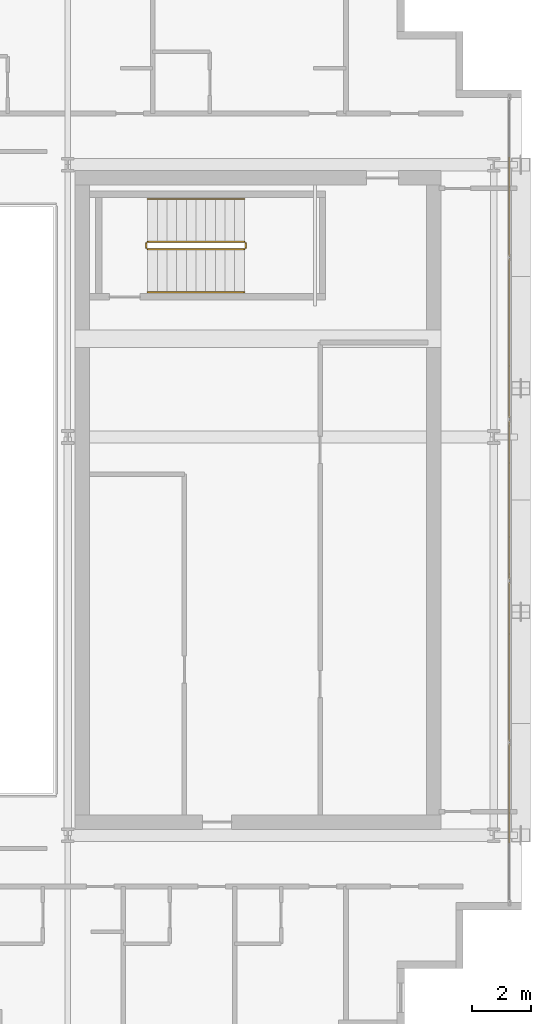
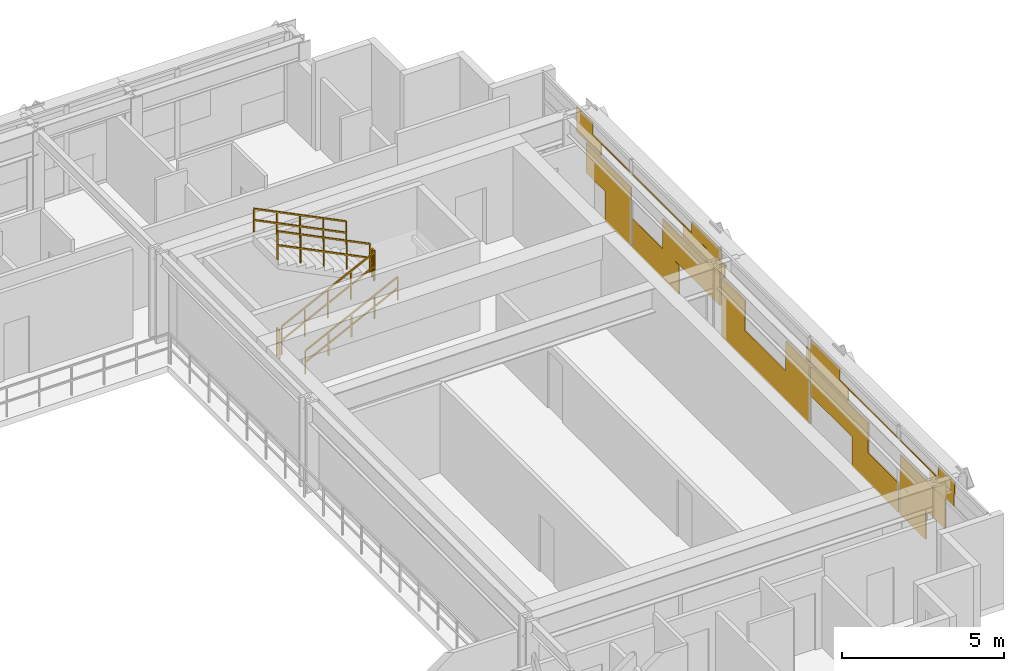
# One storey, part 31 of 32: 6 railings, 1 covering.
"""IFC4 building model written with IfcOpenShell, lengths in metres."""

from ifc_helpers import new_model, si_unit, direction, frame, origin, origin_2d, place, context, subcontext, project, spatial, rectangle, extrude, material, layer, layer_set, type_object, element, save


model = new_model("IFC4")

# Units and contexts
model_context = context("Model", 3, precision=1e-05, world=origin(), true_north=direction((0.0, 1.0)))
body_context = subcontext(model_context, "Body", "Model", "MODEL_VIEW")
ifc_project = project(units=[si_unit("LENGTHUNIT", "METRE"), si_unit("AREAUNIT", "SQUARE_METRE"), si_unit("VOLUMEUNIT", "CUBIC_METRE"), si_unit("PLANEANGLEUNIT", "RADIAN"), si_unit("MASSUNIT", "GRAM", prefix="KILO")], contexts=[model_context])

# Site, building, storey
site_placement = place(None, origin())
site = spatial("IfcSite", under=ifc_project, at=site_placement, CompositionType="ELEMENT")
building_placement = place(site_placement, origin())
building = spatial("IfcBuilding", under=site, at=building_placement, Name="Ocotamira Hotel", CompositionType="ELEMENT")
storey_placement = place(building_placement, frame((0.0, 0.0, 206.39990234375)))
storey = spatial("IfcBuildingStorey", under=building, at=storey_placement, Name="L52", CompositionType="ELEMENT", Elevation=206.39990234375)

# Covering
ifc_material_1 = material(Name="Insulated pale-metal aluminium spandrel panel", Category="aluminium")
ifc_layer = layer(ifc_material_1, 0.044921875)
ifc_layer_set = layer_set([ifc_layer], Name="Insulated pale-metal aluminium spandrel panel")
covering_type = type_object("IfcCoveringType", Name="COV-INFILL-45", PredefinedType="CLADDING", material=ifc_layer_set)
covering_placement = place(storey_placement, origin())
element("IfcCovering", 1, at=covering_placement, inside=storey, type_object=covering_type, Name="L52 Curtain Wall Infill CW-4 CW-L52-E", PredefinedType="CLADDING", context=body_context, shape_type="SweptSolid", body=[
    extrude(rectangle(XDim=2.782958984375, YDim=0.044921875, at=origin_2d()), frame((55.580078125, 16.2880859375, 1.1943359375), z_axis=(0.0, 0.0, 1.0), x_axis=(0.0, 1.0, 0.0)), (0.0, 0.0, 1.0), 1.117919921875),
    extrude(rectangle(XDim=1.596923828125, YDim=0.044921875, at=origin_2d()), frame((55.580078125, 16.881103515625, 0.07568359375), z_axis=(0.0, 0.0, 1.0), x_axis=(0.0, 1.0, 0.0)), (0.0, 0.0, 1.0), 1.117919921875),
    extrude(rectangle(XDim=3.38720703125, YDim=0.044921875, at=origin_2d()), frame((55.580078125, 15.98583984375, 2.848876953125), z_axis=(0.0, 0.0, 1.0), x_axis=(0.0, 1.0, 0.0)), (0.0, 0.0, 1.0), 0.033203125),
    extrude(rectangle(XDim=1.019287109375, YDim=0.044921875, at=origin_2d()), frame((55.580078125, 14.8017578125, 2.883056640625), z_axis=(0.0, 0.0, 1.0), x_axis=(0.0, 1.0, 0.0)), (0.0, 0.0, 1.0), 0.41162109375),
    extrude(rectangle(XDim=1.507568359375, YDim=0.044921875, at=origin_2d()), frame((55.580078125, 15.082275390625, 2.38818359375), z_axis=(0.0, 0.0, 1.0), x_axis=(0.0, 1.0, 0.0)), (0.0, 0.0, 1.0), 0.459716796875),
    extrude(rectangle(XDim=2.89013671875, YDim=0.044921875, at=origin_2d()), frame((55.580078125, 19.20556640625, 0.07568359375), z_axis=(0.0, 0.0, 1.0), x_axis=(0.0, 1.0, 0.0)), (0.0, 0.0, 1.0), 1.117919921875),
    extrude(rectangle(XDim=3.568115234375, YDim=0.044921875, at=origin_2d()), frame((55.580078125, 21.41552734375, 1.1943359375), z_axis=(0.0, 0.0, 1.0), x_axis=(0.0, 1.0, 0.0)), (0.0, 0.0, 1.0), 1.117919921875),
    extrude(rectangle(XDim=5.43896484375, YDim=0.044921875, at=origin_2d()), frame((55.580078125, 20.47998046875, 2.848876953125), z_axis=(0.0, 0.0, 1.0), x_axis=(0.0, 1.0, 0.0)), (0.0, 0.0, 1.0), 0.033203125),
    extrude(rectangle(XDim=2.302490234375, YDim=0.044921875, at=origin_2d()), frame((55.580078125, 22.04833984375, 2.38818359375), z_axis=(0.0, 0.0, 1.0), x_axis=(0.0, 1.0, 0.0)), (0.0, 0.0, 1.0), 0.459716796875),
    extrude(rectangle(XDim=1.777587890625, YDim=0.044921875, at=origin_2d()), frame((55.580078125, 22.310791015625, 2.883056640625), z_axis=(0.0, 0.0, 1.0), x_axis=(0.0, 1.0, 0.0)), (0.0, 0.0, 1.0), 0.41162109375),
    extrude(rectangle(XDim=5.43896484375, YDim=0.044921875, at=origin_2d()), frame((55.580078125, 26.0, 0.07568359375), z_axis=(0.0, 0.0, 1.0), x_axis=(0.0, 1.0, 0.0)), (0.0, 0.0, 1.0), 1.117919921875),
    extrude(rectangle(XDim=1.45458984375, YDim=0.044921875, at=origin_2d()), frame((55.580078125, 24.0078125, 1.1943359375), z_axis=(0.0, 0.0, 1.0), x_axis=(0.0, 1.0, 0.0)), (0.0, 0.0, 1.0), 1.117919921875),
    extrude(rectangle(XDim=1.45458984375, YDim=0.044921875, at=origin_2d()), frame((55.580078125, 27.9921875, 1.1943359375), z_axis=(0.0, 0.0, 1.0), x_axis=(0.0, 1.0, 0.0)), (0.0, 0.0, 1.0), 1.117919921875),
    extrude(rectangle(XDim=0.18896484375, YDim=0.044921875, at=origin_2d()), frame((55.580078125, 23.375, 2.38818359375), z_axis=(0.0, 0.0, 1.0), x_axis=(0.0, 1.0, 0.0)), (0.0, 0.0, 1.0), 0.493896484375),
    extrude(rectangle(XDim=0.18896484375, YDim=0.044921875, at=origin_2d()), frame((55.580078125, 28.625, 2.38818359375), z_axis=(0.0, 0.0, 1.0), x_axis=(0.0, 1.0, 0.0)), (0.0, 0.0, 1.0), 0.493896484375),
    extrude(rectangle(XDim=3.568115234375, YDim=0.044921875, at=origin_2d()), frame((55.580078125, 30.58447265625, 1.1943359375), z_axis=(0.0, 0.0, 1.0), x_axis=(0.0, 1.0, 0.0)), (0.0, 0.0, 1.0), 1.117919921875),
    extrude(rectangle(XDim=2.89013671875, YDim=0.044921875, at=origin_2d()), frame((55.580078125, 32.79443359375, 0.07568359375), z_axis=(0.0, 0.0, 1.0), x_axis=(0.0, 1.0, 0.0)), (0.0, 0.0, 1.0), 1.117919921875),
    extrude(rectangle(XDim=2.302490234375, YDim=0.044921875, at=origin_2d()), frame((55.580078125, 29.95166015625, 2.38818359375), z_axis=(0.0, 0.0, 1.0), x_axis=(0.0, 1.0, 0.0)), (0.0, 0.0, 1.0), 0.459716796875),
    extrude(rectangle(XDim=5.43896484375, YDim=0.044921875, at=origin_2d()), frame((55.580078125, 31.52001953125, 2.848876953125), z_axis=(0.0, 0.0, 1.0), x_axis=(0.0, 1.0, 0.0)), (0.0, 0.0, 1.0), 0.033203125),
    extrude(rectangle(XDim=1.777587890625, YDim=0.044921875, at=origin_2d()), frame((55.580078125, 29.689208984375, 2.883056640625), z_axis=(0.0, 0.0, 1.0), x_axis=(0.0, 1.0, 0.0)), (0.0, 0.0, 1.0), 0.41162109375),
    extrude(rectangle(XDim=1.596923828125, YDim=0.044921875, at=origin_2d()), frame((55.580078125, 35.118896484375, 0.07568359375), z_axis=(0.0, 0.0, 1.0), x_axis=(0.0, 1.0, 0.0)), (0.0, 0.0, 1.0), 1.117919921875),
    extrude(rectangle(XDim=2.782958984375, YDim=0.044921875, at=origin_2d()), frame((55.580078125, 35.7119140625, 1.1943359375), z_axis=(0.0, 0.0, 1.0), x_axis=(0.0, 1.0, 0.0)), (0.0, 0.0, 1.0), 1.117919921875),
    extrude(rectangle(XDim=3.38720703125, YDim=0.044921875, at=origin_2d()), frame((55.580078125, 36.01416015625, 2.848876953125), z_axis=(0.0, 0.0, 1.0), x_axis=(0.0, 1.0, 0.0)), (0.0, 0.0, 1.0), 0.033203125),
    extrude(rectangle(XDim=1.507568359375, YDim=0.044921875, at=origin_2d()), frame((55.580078125, 36.917724609375, 2.38818359375), z_axis=(0.0, 0.0, 1.0), x_axis=(0.0, 1.0, 0.0)), (0.0, 0.0, 1.0), 0.459716796875),
    extrude(rectangle(XDim=1.019287109375, YDim=0.044921875, at=origin_2d()), frame((55.580078125, 37.1982421875, 2.883056640625), z_axis=(0.0, 0.0, 1.0), x_axis=(0.0, 1.0, 0.0)), (0.0, 0.0, 1.0), 0.41162109375),
])

# Railings
ifc_material_2 = material(Name="Brushed stainless steel handrail", Category="steel")
railing_type_1 = type_object("IfcRailingType", Name="RL-HAND-900", PredefinedType="HANDRAIL", material=ifc_material_2)
railing_1_placement = place(storey_placement, frame((43.22998046875, 33.10009765625, 0.327392578125)))
element("IfcRailing", 2, at=railing_1_placement, inside=storey, type_object=railing_type_1, Name="L52 ST-4 stair handrail 1", PredefinedType="HANDRAIL", context=body_context, shape_type="SweptSolid", body=[
    extrude(rectangle(XDim=0.048095703125, YDim=0.048095703125, at=origin_2d()), frame((0.0, 0.0, 0.8759765625), z_axis=(0.895920123917, 0.0, 0.444215186098), x_axis=(0.0, 1.0, 0.0)), (0.0, 0.0, 1.0), 3.683349609375),
    extrude(rectangle(XDim=0.048095703125, YDim=0.048095703125, at=origin_2d()), frame((0.0, 0.0, 0.449951171875), z_axis=(0.895920123917, 0.0, 0.444215186098), x_axis=(0.0, 1.0, 0.0)), (0.0, 0.0, 1.0), 3.683349609375),
    extrude(rectangle(XDim=0.0419921875, YDim=0.0419921875, at=origin_2d()), origin(), (0.0, 0.0, 1.0), 0.851806640625),
    extrude(rectangle(XDim=0.0419921875, YDim=0.0419921875, at=origin_2d()), frame((0.824951171875, 0.0, 0.4091796875)), (0.0, 0.0, 1.0), 0.851806640625),
    extrude(rectangle(XDim=0.0419921875, YDim=0.0419921875, at=origin_2d()), frame((1.64990234375, 0.0, 0.818115234375)), (0.0, 0.0, 1.0), 0.851806640625),
    extrude(rectangle(XDim=0.0419921875, YDim=0.0419921875, at=origin_2d()), frame((2.47509765625, 0.0, 1.22705078125)), (0.0, 0.0, 1.0), 0.851806640625),
    extrude(rectangle(XDim=0.0419921875, YDim=0.0419921875, at=origin_2d()), frame((3.300048828125, 0.0, 1.63623046875)), (0.0, 0.0, 1.0), 0.851806640625),
])
railing_2_placement = place(storey_placement, frame((46.530029296875, 36.280029296875, 2.12744140625)))
element("IfcRailing", 3, at=railing_2_placement, inside=storey, type_object=railing_type_1, Name="L52 ST-4 stair handrail 2", PredefinedType="HANDRAIL", context=body_context, shape_type="SweptSolid", body=[
    extrude(rectangle(XDim=0.048095703125, YDim=0.048095703125, at=origin_2d()), frame((0.0, 0.0, 0.8759765625), z_axis=(-0.895920123917, 0.0, 0.444215186098), x_axis=(0.0, -1.0, 0.0)), (0.0, 0.0, 1.0), 3.683349609375),
    extrude(rectangle(XDim=0.048095703125, YDim=0.048095703125, at=origin_2d()), frame((0.0, 0.0, 0.449951171875), z_axis=(-0.895920123917, 0.0, 0.444215186098), x_axis=(0.0, -1.0, 0.0)), (0.0, 0.0, 1.0), 3.683349609375),
    extrude(rectangle(XDim=0.0419921875, YDim=0.0419921875, at=origin_2d()), origin(), (0.0, 0.0, 1.0), 0.851806640625),
    extrude(rectangle(XDim=0.0419921875, YDim=0.0419921875, at=origin_2d()), frame((-0.824951171875, 0.0, 0.4091796875)), (0.0, 0.0, 1.0), 0.851806640625),
    extrude(rectangle(XDim=0.0419921875, YDim=0.0419921875, at=origin_2d()), frame((-1.64990234375, 0.0, 0.818115234375)), (0.0, 0.0, 1.0), 0.851806640625),
    extrude(rectangle(XDim=0.0419921875, YDim=0.0419921875, at=origin_2d()), frame((-2.47509765625, 0.0, 1.22705078125)), (0.0, 0.0, 1.0), 0.851806640625),
    extrude(rectangle(XDim=0.0419921875, YDim=0.0419921875, at=origin_2d()), frame((-3.300048828125, 0.0, 1.63623046875)), (0.0, 0.0, 1.0), 0.851806640625),
])
ifc_material_3 = material(Name="Painted steel stair guardrail", Category="steel")
railing_type_2 = type_object("IfcRailingType", Name="RL-STAIR-1100", PredefinedType="GUARDRAIL", material=ifc_material_3)
railing_3_placement = place(storey_placement, frame((43.22998046875, 34.56005859375, 0.163818359375)))
element("IfcRailing", 4, at=railing_3_placement, inside=storey, type_object=railing_type_2, Name="L52 ST-4 stair guard 1", PredefinedType="GUARDRAIL", context=body_context, shape_type="SweptSolid", body=[
    extrude(rectangle(XDim=0.048095703125, YDim=0.048095703125, at=origin_2d()), frame((0.0, 0.0, 1.076171875), z_axis=(0.895920123917, 0.0, 0.444215186098), x_axis=(0.0, 1.0, 0.0)), (0.0, 0.0, 1.0), 3.683349609375),
    extrude(rectangle(XDim=0.048095703125, YDim=0.048095703125, at=origin_2d()), frame((0.0, 0.0, 0.550048828125), z_axis=(0.895920123917, 0.0, 0.444215186098), x_axis=(0.0, 1.0, 0.0)), (0.0, 0.0, 1.0), 3.683349609375),
    extrude(rectangle(XDim=0.0419921875, YDim=0.0419921875, at=origin_2d()), origin(), (0.0, 0.0, 1.0), 1.052001953125),
    extrude(rectangle(XDim=0.0419921875, YDim=0.0419921875, at=origin_2d()), frame((0.824951171875, 0.0, 0.4091796875)), (0.0, 0.0, 1.0), 1.052001953125),
    extrude(rectangle(XDim=0.0419921875, YDim=0.0419921875, at=origin_2d()), frame((1.64990234375, 0.0, 0.818115234375)), (0.0, 0.0, 1.0), 1.052001953125),
    extrude(rectangle(XDim=0.0419921875, YDim=0.0419921875, at=origin_2d()), frame((2.47509765625, 0.0, 1.22705078125)), (0.0, 0.0, 1.0), 1.052001953125),
    extrude(rectangle(XDim=0.0419921875, YDim=0.0419921875, at=origin_2d()), frame((3.300048828125, 0.0, 1.63623046875)), (0.0, 0.0, 1.0), 1.052001953125),
])
railing_4_placement = place(storey_placement, frame((46.580078125, 34.610107421875, 1.800048828125)))
element("IfcRailing", 5, at=railing_4_placement, inside=storey, type_object=railing_type_2, Name="L52 ST-4 stair guard 2", PredefinedType="GUARDRAIL", context=body_context, shape_type="SweptSolid", body=[
    extrude(rectangle(XDim=0.048095703125, YDim=0.048095703125, at=origin_2d()), frame((0.0, 0.0, 1.076171875), z_axis=(0.0, 1.0, 0.0), x_axis=(-1.0, 0.0, 0.0)), (0.0, 0.0, 1.0), 0.159912109375),
    extrude(rectangle(XDim=0.048095703125, YDim=0.048095703125, at=origin_2d()), frame((0.0, 0.0, 0.550048828125), z_axis=(0.0, 1.0, 0.0), x_axis=(-1.0, 0.0, 0.0)), (0.0, 0.0, 1.0), 0.159912109375),
    extrude(rectangle(XDim=0.0419921875, YDim=0.0419921875, at=origin_2d()), origin(), (0.0, 0.0, 1.0), 1.052001953125),
    extrude(rectangle(XDim=0.0419921875, YDim=0.0419921875, at=origin_2d()), frame((0.0, 0.159912109375, 0.0)), (0.0, 0.0, 1.0), 1.052001953125),
])
railing_5_placement = place(storey_placement, frame((46.530029296875, 34.820068359375, 1.963623046875)))
element("IfcRailing", 6, at=railing_5_placement, inside=storey, type_object=railing_type_2, Name="L52 ST-4 stair guard 3", PredefinedType="GUARDRAIL", context=body_context, shape_type="SweptSolid", body=[
    extrude(rectangle(XDim=0.048095703125, YDim=0.048095703125, at=origin_2d()), frame((0.0, 0.0, 1.076171875), z_axis=(-0.895893744519, 0.0, 0.4442683857), x_axis=(0.0, -1.0, 0.0)), (0.0, 0.0, 1.0), 3.68359375),
    extrude(rectangle(XDim=0.048095703125, YDim=0.048095703125, at=origin_2d()), frame((0.0, 0.0, 0.550048828125), z_axis=(-0.895893744519, 0.0, 0.4442683857), x_axis=(0.0, -1.0, 0.0)), (0.0, 0.0, 1.0), 3.68359375),
    extrude(rectangle(XDim=0.0419921875, YDim=0.0419921875, at=origin_2d()), origin(), (0.0, 0.0, 1.0), 1.052001953125),
    extrude(rectangle(XDim=0.0419921875, YDim=0.0419921875, at=origin_2d()), frame((-0.824951171875, 0.0, 0.4091796875)), (0.0, 0.0, 1.0), 1.052001953125),
    extrude(rectangle(XDim=0.0419921875, YDim=0.0419921875, at=origin_2d()), frame((-1.64990234375, 0.0, 0.818359375)), (0.0, 0.0, 1.0), 1.052001953125),
    extrude(rectangle(XDim=0.0419921875, YDim=0.0419921875, at=origin_2d()), frame((-2.47509765625, 0.0, 1.227294921875)), (0.0, 0.0, 1.0), 1.052001953125),
    extrude(rectangle(XDim=0.0419921875, YDim=0.0419921875, at=origin_2d()), frame((-3.300048828125, 0.0, 1.636474609375)), (0.0, 0.0, 1.0), 1.052001953125),
])
railing_6_placement = place(storey_placement, frame((43.179931640625, 34.610107421875, 0.0)))
element("IfcRailing", 7, at=railing_6_placement, inside=storey, type_object=railing_type_2, Name="L52 ST-4 stair guard 4", PredefinedType="GUARDRAIL", context=body_context, shape_type="SweptSolid", body=[
    extrude(rectangle(XDim=0.048095703125, YDim=0.048095703125, at=origin_2d()), frame((0.0, 0.0, 1.076171875), z_axis=(0.0, 1.0, 0.0), x_axis=(-1.0, 0.0, 0.0)), (0.0, 0.0, 1.0), 0.159912109375),
    extrude(rectangle(XDim=0.048095703125, YDim=0.048095703125, at=origin_2d()), frame((0.0, 0.0, 0.550048828125), z_axis=(0.0, 1.0, 0.0), x_axis=(-1.0, 0.0, 0.0)), (0.0, 0.0, 1.0), 0.159912109375),
    extrude(rectangle(XDim=0.0419921875, YDim=0.0419921875, at=origin_2d()), origin(), (0.0, 0.0, 1.0), 1.052001953125),
    extrude(rectangle(XDim=0.0419921875, YDim=0.0419921875, at=origin_2d()), frame((0.0, 0.159912109375, 0.0)), (0.0, 0.0, 1.0), 1.052001953125),
])

save(model, "model.ifc")
